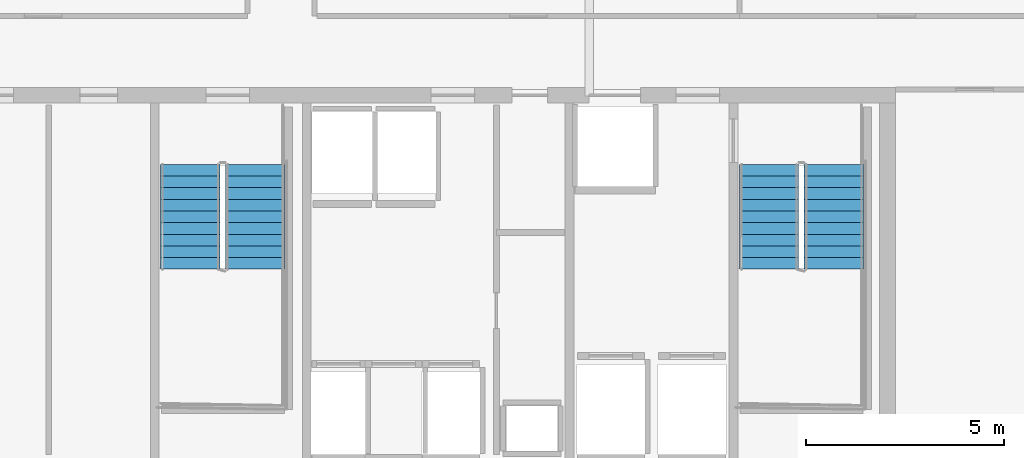
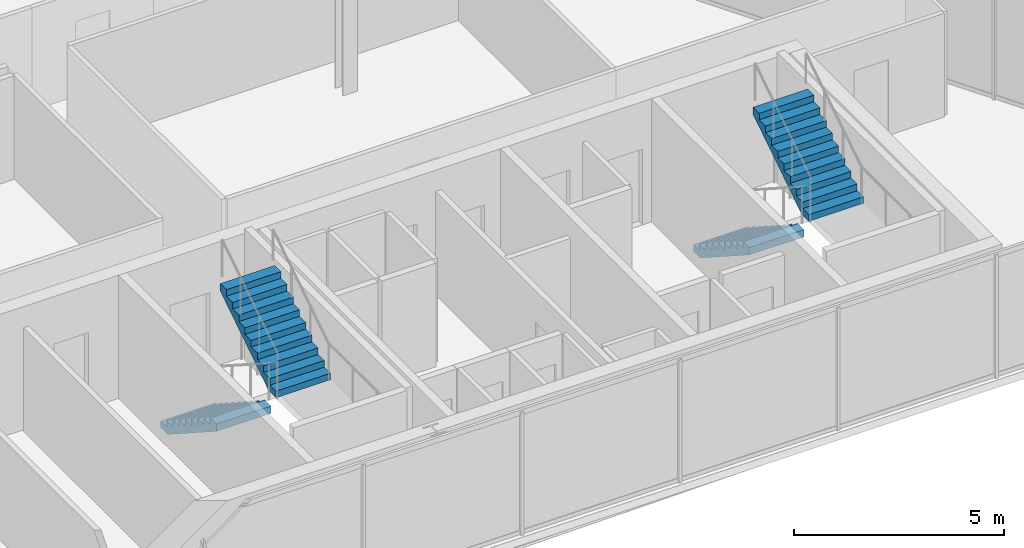
# One storey, part 26 of 29: 4 stair flights, 2 elements without a shape of their own.
"""IFC4 building model written with IfcOpenShell, lengths in metres."""

import ifcopenshell
import ifcopenshell.guid

model = None  # the IFC model being written
_history = None  # IfcOwnerHistory: only IFC2X3 demands one
_inside = {}  # id of a spatial element -> (the spatial element, [elements in it])
_under = {}  # id of a project, library or spatial element -> (it, [spatial elements below it])
_declared = {}  # id of a project -> (the project, [libraries it declares])
_typed = {}  # id of a type object -> (the type object, [elements of that type])
_made_of = {}  # id of a material, layer set ... -> (it, [elements and type objects made of it])


def new_model(schema):
    """Start an empty IFC model of exactly this schema.

    Asked for "IFC4X3", IfcOpenShell would pick the latest addendum, in which some entities
    have other attributes; the version numbers below select the first issue.
    IFC2X3 requires an IfcOwnerHistory on every rooted entity: one is made here for all.
    """
    global model, _history
    if schema == "IFC4X3":
        model = ifcopenshell.file(schema_version=(4, 3, 0, 0))
    else:
        model = ifcopenshell.file(schema=schema)
    _inside.clear()
    _under.clear()
    _declared.clear()
    _typed.clear()
    _made_of.clear()
    _history = None
    if model.schema == "IFC2X3":
        org = make("IfcOrganization", Name="unknown")
        user = make(
            "IfcPersonAndOrganization",
            ThePerson=make("IfcPerson", FamilyName="unknown"),
            TheOrganization=org,
        )
        app = make(
            "IfcApplication",
            ApplicationDeveloper=org,
            Version="unknown",
            ApplicationFullName="unknown",
            ApplicationIdentifier="unknown",
        )
        _history = make(
            "IfcOwnerHistory",
            OwningUser=user,
            OwningApplication=app,
            ChangeAction="ADDED",
            CreationDate=0,
        )
    return model


def make(cls, **values):
    """One entity of the class cls with the attributes given. An attribute that is None is left unset."""
    return model.create_entity(
        cls, **{name: value for name, value in values.items() if value is not None}
    )


def rooted(cls, **values):
    """An entity with a GlobalId (a new one), such as an element, a storey or a relation."""
    return make(cls, GlobalId=ifcopenshell.guid.new(), OwnerHistory=_history, **values)


def si_unit(unit_type, name, prefix=None):
    """IfcSIUnit, for example si_unit("LENGTHUNIT", "METRE", prefix="MILLI")."""
    return make("IfcSIUnit", UnitType=unit_type, Prefix=prefix, Name=name)


def assignment(units):
    """IfcUnitAssignment: the units of a project."""
    return None if units is None else make("IfcUnitAssignment", Units=units)


def point(xyz):
    """IfcCartesianPoint."""
    return None if xyz is None else make("IfcCartesianPoint", Coordinates=xyz)


def direction(xyz):
    """IfcDirection."""
    return None if xyz is None else make("IfcDirection", DirectionRatios=xyz)


def frame(location, z_axis=None, x_axis=None):
    """IfcAxis2Placement3D, a coordinate frame: its origin and axes. An axis left out is left unset."""
    return make(
        "IfcAxis2Placement3D",
        Location=point(location),
        Axis=direction(z_axis),
        RefDirection=direction(x_axis),
    )


def origin():
    """The frame at (0, 0, 0) with its axes left unset."""
    return frame((0.0, 0.0, 0.0))


def place(relative_to, where):
    """IfcLocalPlacement: puts the frame where relative to a parent placement (None: the world)."""
    return make(
        "IfcLocalPlacement", PlacementRelTo=relative_to, RelativePlacement=where
    )


def context(
    kind, dimensions, precision=None, world=None, true_north=None, identifier=None
):
    """IfcGeometricRepresentationContext, for example the 3D "Model" context."""
    return make(
        "IfcGeometricRepresentationContext",
        ContextIdentifier=identifier,
        ContextType=kind,
        CoordinateSpaceDimension=dimensions,
        Precision=precision,
        WorldCoordinateSystem=world,
        TrueNorth=true_north,
    )


def subcontext(parent, identifier, kind, view, scale=None):
    """IfcGeometricRepresentationSubContext, for example "Body" below "Model"."""
    return make(
        "IfcGeometricRepresentationSubContext",
        ContextIdentifier=identifier,
        ContextType=kind,
        ParentContext=parent,
        TargetScale=scale,
        TargetView=view,
    )


def project(units=None, contexts=None):
    """IfcProject with its units and contexts."""
    return rooted(
        "IfcProject",
        Name="project",
        RepresentationContexts=contexts,
        UnitsInContext=assignment(units),
    )


def spatial(cls, under=None, at=None, **own):
    """A site, building, storey or space (cls), placed at a placement, below another one or the project."""
    s = rooted(cls, ObjectPlacement=at, **own)
    if under is not None:
        _under.setdefault(under.id(), (under, []))[1].append(s)
    return s


def polyline(points):
    """IfcPolyline through the points."""
    return make("IfcPolyline", Points=[point(p) for p in points])


def outline(outer, holes=None, kind="AREA"):
    """IfcArbitraryClosedProfileDef: a profile drawn as a closed curve; with holes, ...WithVoids."""
    if holes is None:
        return make("IfcArbitraryClosedProfileDef", ProfileType=kind, OuterCurve=outer)
    return make(
        "IfcArbitraryProfileDefWithVoids",
        ProfileType=kind,
        OuterCurve=outer,
        InnerCurves=holes,
    )


def extrude(swept, where, along, depth):
    """IfcExtrudedAreaSolid: the profile swept, set in the frame where, extruded along a direction by depth."""
    return make(
        "IfcExtrudedAreaSolid",
        SweptArea=swept,
        Position=where,
        ExtrudedDirection=direction(along),
        Depth=depth,
    )


def shape(context_of_items, identifier, shape_type, items):
    """IfcShapeRepresentation: the items that make up one representation, for example the "Body"."""
    return make(
        "IfcShapeRepresentation",
        ContextOfItems=context_of_items,
        RepresentationIdentifier=identifier,
        RepresentationType=shape_type,
        Items=items,
    )


def material(Name=None, Category=None):
    """IfcMaterial."""
    return make("IfcMaterial", Name=Name, Category=Category)


def made_of(thing, what):
    """Note that an element or type object is made of a material, layer set ...; save() writes the relation."""
    if what is not None:
        _made_of.setdefault(what.id(), (what, []))[1].append(thing)
    return thing


def type_object(cls, material=None, **own):
    """A type object (cls), such as IfcWallType, which elements share."""
    return made_of(rooted(cls, **own), material)


def element(
    cls,
    number,
    at=None,
    inside=None,
    cuts=None,
    type_object=None,
    material=None,
    context=None,
    identifier="Body",
    shape_type=None,
    held_by="IfcProductDefinitionShape",
    body=None,
    shapes=None,
    **own,
):
    """One element of the class cls, such as IfcWall. Its Tag is "e" and its number.

    at: its placement. inside: the storey or other place that contains it. cuts: it is an
    opening in that element (IfcRelVoidsElement). A single representation is given by context,
    identifier, shape_type and body (its items); several are given by shapes. held_by: the class
    of the entity that holds the representations. save() writes the other relations.
    """
    e = rooted(cls, Tag="e%d" % number, ObjectPlacement=at, **own)
    if body is not None:
        shapes = [shape(context, identifier, shape_type, body)]
    if shapes is not None:
        e.Representation = make(held_by, Representations=shapes)
    if inside is not None:
        _inside.setdefault(inside.id(), (inside, []))[1].append(e)
    if cuts is not None:
        rooted(
            "IfcRelVoidsElement", RelatingBuildingElement=cuts, RelatedOpeningElement=e
        )
    if type_object is not None:
        _typed.setdefault(type_object.id(), (type_object, []))[1].append(e)
    return made_of(e, material)


def aggregate(whole, parts):
    """IfcRelAggregates: a whole, such as a stair, and the parts it consists of."""
    return rooted("IfcRelAggregates", RelatingObject=whole, RelatedObjects=parts)


def save(model, path):
    """Write the relations noted so far, then the file.

    IfcRelAggregates (storeys below a building ...), IfcRelContainedInSpatialStructure (elements
    in a storey), IfcRelDefinesByType, IfcRelAssociatesMaterial and IfcRelDeclares: one each for
    every whole, place, type object, material and project.
    """
    for whole, parts in _under.values():
        aggregate(whole, parts)
    for where, things in _inside.values():
        rooted(
            "IfcRelContainedInSpatialStructure",
            RelatedElements=things,
            RelatingStructure=where,
        )
    for kind, things in _typed.values():
        rooted("IfcRelDefinesByType", RelatedObjects=things, RelatingType=kind)
    for what, things in _made_of.values():
        rooted("IfcRelAssociatesMaterial", RelatedObjects=things, RelatingMaterial=what)
    for by, libraries in _declared.values():
        rooted("IfcRelDeclares", RelatingContext=by, RelatedDefinitions=libraries)
    model.write(path)


model = new_model("IFC4")

# Units and contexts
model_context = context("Model", 3, precision=1e-05, world=origin(), true_north=direction((0.0, 1.0)))
body_context = subcontext(model_context, "Body", "Model", "MODEL_VIEW")
ifc_project = project(units=[si_unit("LENGTHUNIT", "METRE"), si_unit("AREAUNIT", "SQUARE_METRE"), si_unit("VOLUMEUNIT", "CUBIC_METRE"), si_unit("PLANEANGLEUNIT", "RADIAN"), si_unit("MASSUNIT", "GRAM", prefix="KILO")], contexts=[model_context])

# Site, building, storey
site_placement = place(None, origin())
site = spatial("IfcSite", under=ifc_project, at=site_placement, CompositionType="ELEMENT")
building_placement = place(site_placement, origin())
building = spatial("IfcBuilding", under=site, at=building_placement, Name="Ndaravel Arena Tower", CompositionType="ELEMENT")
storey_placement = place(building_placement, frame((0.0, 0.0, 233.199951171875)))
storey = spatial("IfcBuildingStorey", under=building, at=storey_placement, Name="L56", CompositionType="ELEMENT", Elevation=233.199951171875)

# Stair, stair flights
ifc_material_1 = material(Name="Concrete C40/50", Category="concrete")
stair_type = type_object("IfcStairType", Name="STAIR-CORE-HT", PredefinedType="HALF_TURN_STAIR", material=ifc_material_1)
stair_1_placement = place(storey_placement, origin())
stair_1 = element("IfcStair", 1, at=stair_1_placement, inside=storey, type_object=stair_type, Name="L56 ST-2", PredefinedType="HALF_TURN_STAIR")
ifc_material_2 = material(Name="Concrete C40/50", Category="concrete")
stair_flight_type = type_object("IfcStairFlightType", Name="SFLIGHT-CORE-1680", PredefinedType="STRAIGHT", material=ifc_material_2)
stair_flight_1_placement = place(storey_placement, frame((39.699951171875, 13.25, 0.0), z_axis=(0.0, 0.0, 1.0), x_axis=(0.0, -1.0, 0.0)))
stair_flight_1 = element("IfcStairFlight", 2, at=stair_flight_1_placement, type_object=stair_flight_type, Name="ST-2 flight 1", NumberOfRisers=10, NumberOfTreads=9, PredefinedType="STRAIGHT", RiserHeight=0.19, TreadLength=0.295, context=body_context, shape_type="SweptSolid", body=[
    extrude(outline(polyline([(0.0, 0.0), (0.0, 0.18994140625), (0.294921875, 0.18994140625), (0.294921875, 0.3798828125), (0.590087890625, 0.3798828125), (0.590087890625, 0.570068359375), (0.885009765625, 0.570068359375), (0.885009765625, 0.760009765625), (1.179931640625, 0.760009765625), (1.179931640625, 0.949951171875), (1.47509765625, 0.949951171875), (1.47509765625, 1.139892578125), (1.77001953125, 1.139892578125), (1.77001953125, 1.330078125), (2.06494140625, 1.330078125), (2.06494140625, 1.52001953125), (2.360107421875, 1.52001953125), (2.360107421875, 1.7099609375), (2.655029296875, 1.7099609375), (2.655029296875, 1.89990234375), (2.655029296875, 1.49609375), (0.332275390625, 0.0), (0.0, 0.0)])), frame((0.0, 0.75, 0.0), z_axis=(0.0, -1.0, 0.0), x_axis=(1.0, 0.0, 0.0)), (0.0, 0.0, 1.0), 1.5),
])
stair_flight_2_placement = place(storey_placement, frame((41.340087890625, 10.594970703125, 1.900146484375), z_axis=(0.0, 0.0, 1.0), x_axis=(0.0, 1.0, 0.0)))
stair_flight_2 = element("IfcStairFlight", 3, at=stair_flight_2_placement, type_object=stair_flight_type, Name="ST-2 flight 2", NumberOfRisers=10, NumberOfTreads=9, PredefinedType="STRAIGHT", RiserHeight=0.19, TreadLength=0.295, context=body_context, shape_type="SweptSolid", body=[
    extrude(outline(polyline([(0.0, 0.0), (0.0, 0.18994140625), (0.294921875, 0.18994140625), (0.294921875, 0.3798828125), (0.590087890625, 0.3798828125), (0.590087890625, 0.570068359375), (0.885009765625, 0.570068359375), (0.885009765625, 0.760009765625), (1.179931640625, 0.760009765625), (1.179931640625, 0.949951171875), (1.47509765625, 0.949951171875), (1.47509765625, 1.139892578125), (1.77001953125, 1.139892578125), (1.77001953125, 1.330078125), (2.06494140625, 1.330078125), (2.06494140625, 1.52001953125), (2.360107421875, 1.52001953125), (2.360107421875, 1.7099609375), (2.655029296875, 1.7099609375), (2.655029296875, 1.89990234375), (2.655029296875, 1.49609375), (0.332275390625, 0.0), (0.0, 0.0)])), frame((0.0, 0.75, 0.0), z_axis=(0.0, -1.0, 0.0), x_axis=(1.0, 0.0, 0.0)), (0.0, 0.0, 1.0), 1.5),
])
aggregate(stair_1, [stair_flight_1, stair_flight_2])

stair_2_placement = place(storey_placement, origin())
stair_2 = element("IfcStair", 4, at=stair_2_placement, inside=storey, type_object=stair_type, Name="L56 ST-3", PredefinedType="HALF_TURN_STAIR")
stair_flight_3_placement = place(storey_placement, frame((54.35009765625, 13.25, 0.0), z_axis=(0.0, 0.0, 1.0), x_axis=(0.0, -1.0, 0.0)))
stair_flight_3 = element("IfcStairFlight", 5, at=stair_flight_3_placement, type_object=stair_flight_type, Name="ST-3 flight 1", NumberOfRisers=10, NumberOfTreads=9, PredefinedType="STRAIGHT", RiserHeight=0.19, TreadLength=0.295, context=body_context, shape_type="SweptSolid", body=[
    extrude(outline(polyline([(0.0, 0.0), (0.0, 0.18994140625), (0.294921875, 0.18994140625), (0.294921875, 0.3798828125), (0.590087890625, 0.3798828125), (0.590087890625, 0.570068359375), (0.885009765625, 0.570068359375), (0.885009765625, 0.760009765625), (1.179931640625, 0.760009765625), (1.179931640625, 0.949951171875), (1.47509765625, 0.949951171875), (1.47509765625, 1.139892578125), (1.77001953125, 1.139892578125), (1.77001953125, 1.330078125), (2.06494140625, 1.330078125), (2.06494140625, 1.52001953125), (2.360107421875, 1.52001953125), (2.360107421875, 1.7099609375), (2.655029296875, 1.7099609375), (2.655029296875, 1.89990234375), (2.655029296875, 1.49609375), (0.332275390625, 0.0), (0.0, 0.0)])), frame((0.0, 0.75, 0.0), z_axis=(0.0, -1.0, 0.0), x_axis=(1.0, 0.0, 0.0)), (0.0, 0.0, 1.0), 1.5),
])
stair_flight_4_placement = place(storey_placement, frame((55.989990234375, 10.594970703125, 1.900146484375), z_axis=(0.0, 0.0, 1.0), x_axis=(0.0, 1.0, 0.0)))
stair_flight_4 = element("IfcStairFlight", 6, at=stair_flight_4_placement, type_object=stair_flight_type, Name="ST-3 flight 2", NumberOfRisers=10, NumberOfTreads=9, PredefinedType="STRAIGHT", RiserHeight=0.19, TreadLength=0.295, context=body_context, shape_type="SweptSolid", body=[
    extrude(outline(polyline([(0.0, 0.0), (0.0, 0.18994140625), (0.294921875, 0.18994140625), (0.294921875, 0.3798828125), (0.590087890625, 0.3798828125), (0.590087890625, 0.570068359375), (0.885009765625, 0.570068359375), (0.885009765625, 0.760009765625), (1.179931640625, 0.760009765625), (1.179931640625, 0.949951171875), (1.47509765625, 0.949951171875), (1.47509765625, 1.139892578125), (1.77001953125, 1.139892578125), (1.77001953125, 1.330078125), (2.06494140625, 1.330078125), (2.06494140625, 1.52001953125), (2.360107421875, 1.52001953125), (2.360107421875, 1.7099609375), (2.655029296875, 1.7099609375), (2.655029296875, 1.89990234375), (2.655029296875, 1.49609375), (0.332275390625, 0.0), (0.0, 0.0)])), frame((0.0, 0.75, 0.0), z_axis=(0.0, -1.0, 0.0), x_axis=(1.0, 0.0, 0.0)), (0.0, 0.0, 1.0), 1.5),
])
aggregate(stair_2, [stair_flight_3, stair_flight_4])

save(model, "model.ifc")
